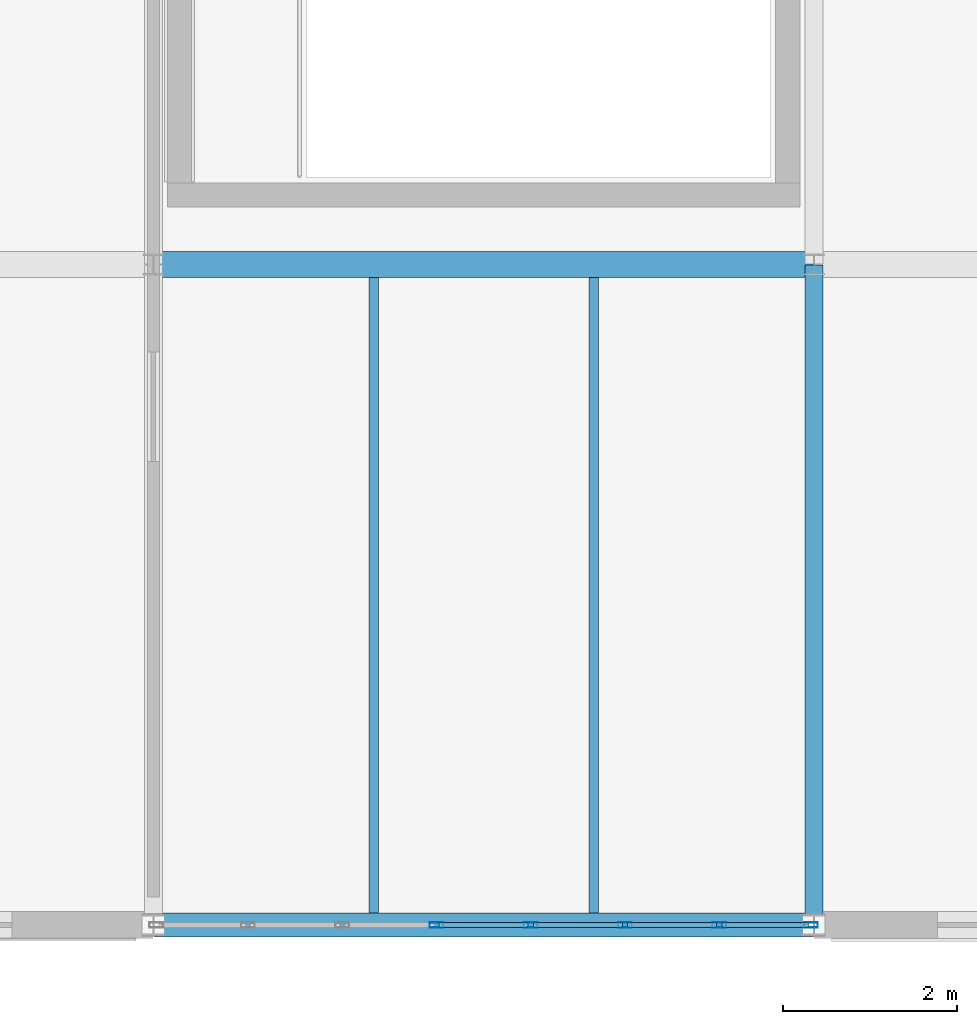
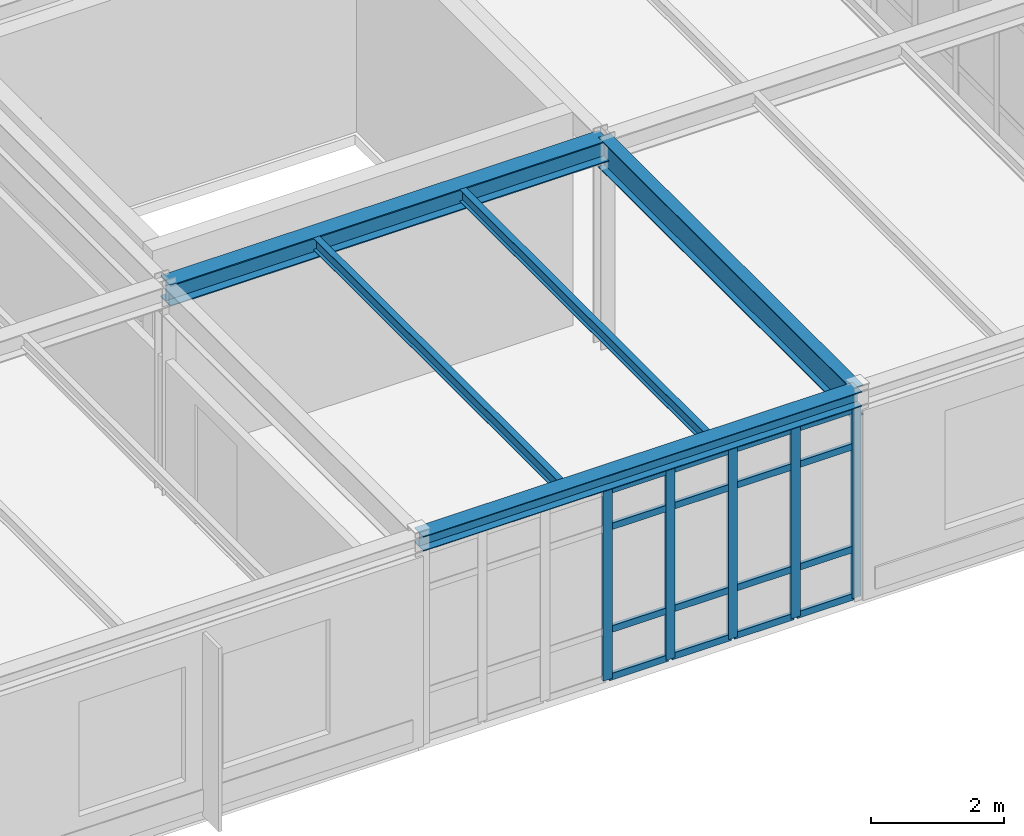
# One storey, part 29 of 189: 21 members, 5 beams, 1 element without a shape of its own.
"""IFC4 building model written with IfcOpenShell, lengths in metres."""

import ifcopenshell
import ifcopenshell.guid

model = None  # the IFC model being written
_history = None  # IfcOwnerHistory: only IFC2X3 demands one
_inside = {}  # id of a spatial element -> (the spatial element, [elements in it])
_under = {}  # id of a project, library or spatial element -> (it, [spatial elements below it])
_declared = {}  # id of a project -> (the project, [libraries it declares])
_typed = {}  # id of a type object -> (the type object, [elements of that type])
_made_of = {}  # id of a material, layer set ... -> (it, [elements and type objects made of it])


def new_model(schema):
    """Start an empty IFC model of exactly this schema.

    Asked for "IFC4X3", IfcOpenShell would pick the latest addendum, in which some entities
    have other attributes; the version numbers below select the first issue.
    IFC2X3 requires an IfcOwnerHistory on every rooted entity: one is made here for all.
    """
    global model, _history
    if schema == "IFC4X3":
        model = ifcopenshell.file(schema_version=(4, 3, 0, 0))
    else:
        model = ifcopenshell.file(schema=schema)
    _inside.clear()
    _under.clear()
    _declared.clear()
    _typed.clear()
    _made_of.clear()
    _history = None
    if model.schema == "IFC2X3":
        org = make("IfcOrganization", Name="unknown")
        user = make(
            "IfcPersonAndOrganization",
            ThePerson=make("IfcPerson", FamilyName="unknown"),
            TheOrganization=org,
        )
        app = make(
            "IfcApplication",
            ApplicationDeveloper=org,
            Version="unknown",
            ApplicationFullName="unknown",
            ApplicationIdentifier="unknown",
        )
        _history = make(
            "IfcOwnerHistory",
            OwningUser=user,
            OwningApplication=app,
            ChangeAction="ADDED",
            CreationDate=0,
        )
    return model


def make(cls, **values):
    """One entity of the class cls with the attributes given. An attribute that is None is left unset."""
    return model.create_entity(
        cls, **{name: value for name, value in values.items() if value is not None}
    )


def rooted(cls, **values):
    """An entity with a GlobalId (a new one), such as an element, a storey or a relation."""
    return make(cls, GlobalId=ifcopenshell.guid.new(), OwnerHistory=_history, **values)


def si_unit(unit_type, name, prefix=None):
    """IfcSIUnit, for example si_unit("LENGTHUNIT", "METRE", prefix="MILLI")."""
    return make("IfcSIUnit", UnitType=unit_type, Prefix=prefix, Name=name)


def assignment(units):
    """IfcUnitAssignment: the units of a project."""
    return None if units is None else make("IfcUnitAssignment", Units=units)


def point(xyz):
    """IfcCartesianPoint."""
    return None if xyz is None else make("IfcCartesianPoint", Coordinates=xyz)


def direction(xyz):
    """IfcDirection."""
    return None if xyz is None else make("IfcDirection", DirectionRatios=xyz)


def frame(location, z_axis=None, x_axis=None):
    """IfcAxis2Placement3D, a coordinate frame: its origin and axes. An axis left out is left unset."""
    return make(
        "IfcAxis2Placement3D",
        Location=point(location),
        Axis=direction(z_axis),
        RefDirection=direction(x_axis),
    )


def frame_2d(location, x_axis=None):
    """IfcAxis2Placement2D, a coordinate frame in the plane: its origin and x axis."""
    return make(
        "IfcAxis2Placement2D", Location=point(location), RefDirection=direction(x_axis)
    )


def origin():
    """The frame at (0, 0, 0) with its axes left unset."""
    return frame((0.0, 0.0, 0.0))


def origin_2d():
    """The frame at (0, 0) in the plane with its x axis left unset."""
    return frame_2d((0.0, 0.0))


def place(relative_to, where):
    """IfcLocalPlacement: puts the frame where relative to a parent placement (None: the world)."""
    return make(
        "IfcLocalPlacement", PlacementRelTo=relative_to, RelativePlacement=where
    )


def context(
    kind, dimensions, precision=None, world=None, true_north=None, identifier=None
):
    """IfcGeometricRepresentationContext, for example the 3D "Model" context."""
    return make(
        "IfcGeometricRepresentationContext",
        ContextIdentifier=identifier,
        ContextType=kind,
        CoordinateSpaceDimension=dimensions,
        Precision=precision,
        WorldCoordinateSystem=world,
        TrueNorth=true_north,
    )


def subcontext(parent, identifier, kind, view, scale=None):
    """IfcGeometricRepresentationSubContext, for example "Body" below "Model"."""
    return make(
        "IfcGeometricRepresentationSubContext",
        ContextIdentifier=identifier,
        ContextType=kind,
        ParentContext=parent,
        TargetScale=scale,
        TargetView=view,
    )


def project(units=None, contexts=None):
    """IfcProject with its units and contexts."""
    return rooted(
        "IfcProject",
        Name="project",
        RepresentationContexts=contexts,
        UnitsInContext=assignment(units),
    )


def spatial(cls, under=None, at=None, **own):
    """A site, building, storey or space (cls), placed at a placement, below another one or the project."""
    s = rooted(cls, ObjectPlacement=at, **own)
    if under is not None:
        _under.setdefault(under.id(), (under, []))[1].append(s)
    return s


def profile(cls, at=None, kind="AREA", **sizes):
    """A parametric profile (cls). Its sizes go by their IFC names, for example OverallWidth=200.0."""
    return make(cls, ProfileType=kind, Position=at, **sizes)


def hollow_rectangle(**sizes):
    """IfcRectangleHollowProfileDef."""
    return profile("IfcRectangleHollowProfileDef", **sizes)


def i_section(**sizes):
    """IfcIShapeProfileDef."""
    return profile("IfcIShapeProfileDef", **sizes)


def extrude(swept, where, along, depth):
    """IfcExtrudedAreaSolid: the profile swept, set in the frame where, extruded along a direction by depth."""
    return make(
        "IfcExtrudedAreaSolid",
        SweptArea=swept,
        Position=where,
        ExtrudedDirection=direction(along),
        Depth=depth,
    )


def shape(context_of_items, identifier, shape_type, items):
    """IfcShapeRepresentation: the items that make up one representation, for example the "Body"."""
    return make(
        "IfcShapeRepresentation",
        ContextOfItems=context_of_items,
        RepresentationIdentifier=identifier,
        RepresentationType=shape_type,
        Items=items,
    )


def material(Name=None, Category=None):
    """IfcMaterial."""
    return make("IfcMaterial", Name=Name, Category=Category)


def layer(
    of_material, thickness, ventilated=None, Name=None, Category=None, Priority=None
):
    """IfcMaterialLayer: one layer of a wall or slab, of a material (None: an air gap)."""
    return make(
        "IfcMaterialLayer",
        Material=of_material,
        LayerThickness=thickness,
        IsVentilated=ventilated,
        Name=Name,
        Category=Category,
        Priority=Priority,
    )


def layer_set(layers, Name=None):
    """IfcMaterialLayerSet."""
    return make("IfcMaterialLayerSet", MaterialLayers=layers, LayerSetName=Name)


def material_profile(
    of_material, cross_section, Name=None, Category=None, Priority=None
):
    """IfcMaterialProfile: a cross section and its material."""
    return make(
        "IfcMaterialProfile",
        Name=Name,
        Material=of_material,
        Profile=cross_section,
        Priority=Priority,
        Category=Category,
    )


def profile_set(profiles, Name=None, composite=None):
    """IfcMaterialProfileSet."""
    return make(
        "IfcMaterialProfileSet",
        Name=Name,
        MaterialProfiles=profiles,
        CompositeProfile=composite,
    )


def made_of(thing, what):
    """Note that an element or type object is made of a material, layer set ...; save() writes the relation."""
    if what is not None:
        _made_of.setdefault(what.id(), (what, []))[1].append(thing)
    return thing


def type_object(cls, material=None, **own):
    """A type object (cls), such as IfcWallType, which elements share."""
    return made_of(rooted(cls, **own), material)


def element(
    cls,
    number,
    at=None,
    inside=None,
    cuts=None,
    type_object=None,
    material=None,
    context=None,
    identifier="Body",
    shape_type=None,
    held_by="IfcProductDefinitionShape",
    body=None,
    shapes=None,
    **own,
):
    """One element of the class cls, such as IfcWall. Its Tag is "e" and its number.

    at: its placement. inside: the storey or other place that contains it. cuts: it is an
    opening in that element (IfcRelVoidsElement). A single representation is given by context,
    identifier, shape_type and body (its items); several are given by shapes. held_by: the class
    of the entity that holds the representations. save() writes the other relations.
    """
    e = rooted(cls, Tag="e%d" % number, ObjectPlacement=at, **own)
    if body is not None:
        shapes = [shape(context, identifier, shape_type, body)]
    if shapes is not None:
        e.Representation = make(held_by, Representations=shapes)
    if inside is not None:
        _inside.setdefault(inside.id(), (inside, []))[1].append(e)
    if cuts is not None:
        rooted(
            "IfcRelVoidsElement", RelatingBuildingElement=cuts, RelatedOpeningElement=e
        )
    if type_object is not None:
        _typed.setdefault(type_object.id(), (type_object, []))[1].append(e)
    return made_of(e, material)


def aggregate(whole, parts):
    """IfcRelAggregates: a whole, such as a stair, and the parts it consists of."""
    return rooted("IfcRelAggregates", RelatingObject=whole, RelatedObjects=parts)


def save(model, path):
    """Write the relations noted so far, then the file.

    IfcRelAggregates (storeys below a building ...), IfcRelContainedInSpatialStructure (elements
    in a storey), IfcRelDefinesByType, IfcRelAssociatesMaterial and IfcRelDeclares: one each for
    every whole, place, type object, material and project.
    """
    for whole, parts in _under.values():
        aggregate(whole, parts)
    for where, things in _inside.values():
        rooted(
            "IfcRelContainedInSpatialStructure",
            RelatedElements=things,
            RelatingStructure=where,
        )
    for kind, things in _typed.values():
        rooted("IfcRelDefinesByType", RelatedObjects=things, RelatingType=kind)
    for what, things in _made_of.values():
        rooted("IfcRelAssociatesMaterial", RelatedObjects=things, RelatingMaterial=what)
    for by, libraries in _declared.values():
        rooted("IfcRelDeclares", RelatingContext=by, RelatedDefinitions=libraries)
    model.write(path)


model = new_model("IFC4")

# Units and contexts
model_context = context("Model", 3, precision=1e-05, world=origin(), true_north=direction((0.0, 1.0)))
body_context = subcontext(model_context, "Body", "Model", "MODEL_VIEW")
ifc_project = project(units=[si_unit("LENGTHUNIT", "METRE"), si_unit("AREAUNIT", "SQUARE_METRE"), si_unit("VOLUMEUNIT", "CUBIC_METRE"), si_unit("PLANEANGLEUNIT", "RADIAN"), si_unit("MASSUNIT", "GRAM", prefix="KILO")], contexts=[model_context])

# Site, building, storey
site_placement = place(None, origin())
site = spatial("IfcSite", under=ifc_project, at=site_placement, CompositionType="ELEMENT")
building_placement = place(site_placement, origin())
building = spatial("IfcBuilding", under=site, at=building_placement, Name="Montecoro Central Library", CompositionType="ELEMENT")
storey_placement = place(building_placement, frame((0.0, 0.0, 9.179931640625)))
storey = spatial("IfcBuildingStorey", under=building, at=storey_placement, Name="L02", CompositionType="ELEMENT", Elevation=9.179931640625)

# Beams
ifc_material_1 = material(Name="Steel S355", Category="steel")
ifc_material_profile_1 = material_profile(ifc_material_1, i_section(OverallWidth=0.300048828125, OverallDepth=0.389892578125, WebThickness=0.010986328125, FlangeThickness=0.01904296875, at=origin_2d()), Name="HEA 400")
ifc_profile_set_1 = profile_set([ifc_material_profile_1], Name="Steel S355")
beam_type_1 = type_object("IfcBeamType", Name="BM-G-HEA400", PredefinedType="USERDEFINED", material=ifc_profile_set_1)
beam_1_placement = place(storey_placement, frame((27.804931640625, 12.60009765625, 3.630126953125), z_axis=(1.0, 0.0, 0.0), x_axis=(0.0, 1.0, 0.0)))
element("IfcBeam", 1, at=beam_1_placement, inside=storey, type_object=beam_type_1, Name="V3-L02-BX-45-B", ObjectType="GIRDER", PredefinedType="USERDEFINED", context=body_context, shape_type="SweptSolid", body=[
    extrude(i_section(OverallWidth=0.300048828125, OverallDepth=0.389892578125, WebThickness=0.010986328125, FlangeThickness=0.01904296875, at=origin_2d()), origin(), (0.0, 0.0, 1.0), 7.590087890625),
])
ifc_material_2 = material(Name="Steel S355J2", Category="steel")
ifc_material_profile_2 = material_profile(ifc_material_2, i_section(OverallWidth=0.2099609375, OverallDepth=0.550048828125, WebThickness=0.010986328125, FlangeThickness=0.01708984375, at=origin_2d()), Name="IPE 550")
ifc_profile_set_2 = profile_set([ifc_material_profile_2], Name="Steel S355J2")
beam_type_2 = type_object("IfcBeamType", Name="BM-G-IPE550", PredefinedType="USERDEFINED", material=ifc_profile_set_2)
beam_2_placement = place(storey_placement, frame((35.39990234375, 5.0048828125, 3.550048828125), z_axis=(0.0, 1.0, 0.0), x_axis=(-1.0, 0.0, 0.0)))
element("IfcBeam", 2, at=beam_2_placement, inside=storey, type_object=beam_type_2, Name="V3-L02-BY-5-AB", ObjectType="GIRDER", PredefinedType="USERDEFINED", context=body_context, shape_type="SweptSolid", body=[
    extrude(i_section(OverallWidth=0.2099609375, OverallDepth=0.550048828125, WebThickness=0.010986328125, FlangeThickness=0.01708984375, at=origin_2d()), origin(), (0.0, 0.0, 1.0), 7.590087890625),
])
ifc_material_profile_3 = material_profile(ifc_material_1, i_section(OverallWidth=0.110107421875, OverallDepth=0.219970703125, WebThickness=0.005859375, FlangeThickness=0.00927734375, at=origin_2d()), Name="IPE 220")
ifc_profile_set_3 = profile_set([ifc_material_profile_3], Name="Steel S355")
beam_type_3 = type_object("IfcBeamType", Name="BM-J-IPE220", PredefinedType="JOIST", material=ifc_profile_set_3)
for number, where, z_axis, x_axis, name in (
    (3, (30.3330078125, 5.136962890625, 3.715087890625), (0.0, 1.0, 0.0), (-1.0, 0.0, 0.0), "V3-L02-JS-45-AB-1"),
    (4, (32.866943359375, 5.136962890625, 3.715087890625), (0.0, 1.0, 0.0), (-1.0, 0.0, 0.0), "V3-L02-JS-45-AB-2"),
):
    element("IfcBeam", number, at=place(storey_placement, frame(where, z_axis=z_axis, x_axis=x_axis)), inside=storey, type_object=beam_type_3, Name=name, PredefinedType="JOIST", context=body_context, shape_type="SweptSolid", body=[
        extrude(i_section(OverallWidth=0.110107421875, OverallDepth=0.219970703125, WebThickness=0.005859375, FlangeThickness=0.00927734375, at=origin_2d()), origin(), (0.0, 0.0, 1.0), 7.31591796875),
    ])
ifc_material_profile_4 = material_profile(ifc_material_1, i_section(OverallWidth=0.280029296875, OverallDepth=0.27001953125, WebThickness=0.008056640625, FlangeThickness=0.012939453125, at=origin_2d()), Name="HEA 280")
ifc_profile_set_4 = profile_set([ifc_material_profile_4], Name="Steel S355")
beam_type_4 = type_object("IfcBeamType", Name="BM-SP-HEA280", PredefinedType="SPANDREL", material=ifc_profile_set_4)
beam_3_placement = place(storey_placement, frame((27.804931640625, 5.0, 3.690185546875), z_axis=(1.0, 0.0, 0.0), x_axis=(0.0, 1.0, 0.0)))
element("IfcBeam", 5, at=beam_3_placement, inside=storey, type_object=beam_type_4, Name="V3-L02-BX-45-A", PredefinedType="SPANDREL", context=body_context, shape_type="SweptSolid", body=[
    extrude(i_section(OverallWidth=0.280029296875, OverallDepth=0.27001953125, WebThickness=0.008056640625, FlangeThickness=0.012939453125, at=origin_2d()), origin(), (0.0, 0.0, 1.0), 7.590087890625),
])

# Curtain wall, members
ifc_material_3 = material(Name="Bronze-anodised aluminium and low-E glazing", Category="aluminium")
ifc_layer = layer(ifc_material_3, 0.159912109375)
ifc_layer_set = layer_set([ifc_layer], Name="Bronze-anodised aluminium and low-E glazing")
curtain_wall_type = type_object("IfcCurtainWallType", Name="CWT-033", PredefinedType="NOTDEFINED", material=ifc_layer_set)
curtain_wall_placement = place(storey_placement, origin())
curtain_wall = element("IfcCurtainWall", 6, at=curtain_wall_placement, inside=storey, type_object=curtain_wall_type, Name="V3-L02-CW-S3", PredefinedType="NOTDEFINED")
ifc_material_4 = material(Name="Bronze-anodised aluminium", Category="aluminium")
ifc_material_profile_5 = material_profile(ifc_material_4, hollow_rectangle(XDim=0.06005859375, YDim=0.159912109375, WallThickness=0.00390625, at=origin_2d()), Name="CWM 160x60x4.0")
ifc_profile_set_5 = profile_set([ifc_material_profile_5], Name="Bronze-anodised aluminium")
member_type_1 = type_object("IfcMemberType", Name="CWM-BRZ-60", PredefinedType="MULLION", material=ifc_profile_set_5)
member_1_placement = place(storey_placement, frame((31.0576171875, 5.0, 0.0), z_axis=(0.0, 0.0, 1.0), x_axis=(0.0, 1.0, 0.0)))
member_1 = element("IfcMember", 7, at=member_1_placement, type_object=member_type_1, Name="CW-033 mullion 4", PredefinedType="MULLION", context=body_context, shape_type="SweptSolid", body=[
    extrude(hollow_rectangle(XDim=0.06005859375, YDim=0.159912109375, WallThickness=0.00390625, at=origin_2d()), origin(), (0.0, 0.0, 1.0), 3.47998046875),
])
member_2_placement = place(storey_placement, frame((32.142333984375, 5.0, 0.0), z_axis=(0.0, 0.0, 1.0), x_axis=(0.0, 1.0, 0.0)))
member_2 = element("IfcMember", 8, at=member_2_placement, type_object=member_type_1, Name="CW-033 mullion 5", PredefinedType="MULLION", context=body_context, shape_type="SweptSolid", body=[
    extrude(hollow_rectangle(XDim=0.06005859375, YDim=0.159912109375, WallThickness=0.00390625, at=origin_2d()), origin(), (0.0, 0.0, 1.0), 3.47998046875),
])
member_3_placement = place(storey_placement, frame((33.226806640625, 5.0, 0.0), z_axis=(0.0, 0.0, 1.0), x_axis=(0.0, 1.0, 0.0)))
member_3 = element("IfcMember", 9, at=member_3_placement, type_object=member_type_1, Name="CW-033 mullion 6", PredefinedType="MULLION", context=body_context, shape_type="SweptSolid", body=[
    extrude(hollow_rectangle(XDim=0.06005859375, YDim=0.159912109375, WallThickness=0.00390625, at=origin_2d()), origin(), (0.0, 0.0, 1.0), 3.47998046875),
])
member_4_placement = place(storey_placement, frame((34.3115234375, 5.0, 0.0), z_axis=(0.0, 0.0, 1.0), x_axis=(0.0, 1.0, 0.0)))
member_4 = element("IfcMember", 10, at=member_4_placement, type_object=member_type_1, Name="CW-033 mullion 7", PredefinedType="MULLION", context=body_context, shape_type="SweptSolid", body=[
    extrude(hollow_rectangle(XDim=0.06005859375, YDim=0.159912109375, WallThickness=0.00390625, at=origin_2d()), origin(), (0.0, 0.0, 1.0), 3.47998046875),
])
member_5_placement = place(storey_placement, frame((35.365966796875, 5.0, 0.0), z_axis=(0.0, 0.0, 1.0), x_axis=(0.0, 1.0, 0.0)))
member_5 = element("IfcMember", 11, at=member_5_placement, type_object=member_type_1, Name="CW-033 mullion 8", PredefinedType="MULLION", context=body_context, shape_type="SweptSolid", body=[
    extrude(hollow_rectangle(XDim=0.06005859375, YDim=0.159912109375, WallThickness=0.00390625, at=origin_2d()), origin(), (0.0, 0.0, 1.0), 3.47998046875),
])
ifc_material_profile_6 = material_profile(ifc_material_4, hollow_rectangle(XDim=0.06005859375, YDim=0.1201171875, WallThickness=0.00390625, at=origin_2d()), Name="CWT 120x60x4.0")
ifc_profile_set_6 = profile_set([ifc_material_profile_6], Name="Bronze-anodised aluminium")
member_type_2 = type_object("IfcMemberType", Name="CWT-BRZ-60", PredefinedType="USERDEFINED", material=ifc_profile_set_6)
member_6_placement = place(storey_placement, frame((31.087646484375, 5.0, 0.030029296875), z_axis=(1.0, 0.0, 0.0), x_axis=(0.0, 1.0, 0.0)))
member_6 = element("IfcMember", 12, at=member_6_placement, type_object=member_type_2, Name="CW-033 transom 4.1", ObjectType="TRANSOM", PredefinedType="USERDEFINED", context=body_context, shape_type="SweptSolid", body=[
    extrude(hollow_rectangle(XDim=0.06005859375, YDim=0.1201171875, WallThickness=0.00390625, at=origin_2d()), origin(), (0.0, 0.0, 1.0), 1.024658203125),
])
member_7_placement = place(storey_placement, frame((31.087646484375, 5.0, 0.900146484375), z_axis=(1.0, 0.0, 0.0), x_axis=(0.0, 1.0, 0.0)))
member_7 = element("IfcMember", 13, at=member_7_placement, type_object=member_type_2, Name="CW-033 transom 4.2", ObjectType="TRANSOM", PredefinedType="USERDEFINED", context=body_context, shape_type="SweptSolid", body=[
    extrude(hollow_rectangle(XDim=0.06005859375, YDim=0.1201171875, WallThickness=0.00390625, at=origin_2d()), origin(), (0.0, 0.0, 1.0), 1.024658203125),
])
member_8_placement = place(storey_placement, frame((31.087646484375, 5.0, 2.780029296875), z_axis=(1.0, 0.0, 0.0), x_axis=(0.0, 1.0, 0.0)))
member_8 = element("IfcMember", 14, at=member_8_placement, type_object=member_type_2, Name="CW-033 transom 4.3", ObjectType="TRANSOM", PredefinedType="USERDEFINED", context=body_context, shape_type="SweptSolid", body=[
    extrude(hollow_rectangle(XDim=0.06005859375, YDim=0.1201171875, WallThickness=0.00390625, at=origin_2d()), origin(), (0.0, 0.0, 1.0), 1.024658203125),
])
member_9_placement = place(storey_placement, frame((31.087646484375, 5.0, 3.449951171875), z_axis=(1.0, 0.0, 0.0), x_axis=(0.0, 1.0, 0.0)))
member_9 = element("IfcMember", 15, at=member_9_placement, type_object=member_type_2, Name="CW-033 transom 4.4", ObjectType="TRANSOM", PredefinedType="USERDEFINED", context=body_context, shape_type="SweptSolid", body=[
    extrude(hollow_rectangle(XDim=0.06005859375, YDim=0.1201171875, WallThickness=0.00390625, at=origin_2d()), origin(), (0.0, 0.0, 1.0), 1.024658203125),
])
member_10_placement = place(storey_placement, frame((32.17236328125, 5.0, 0.030029296875), z_axis=(1.0, 0.0, 0.0), x_axis=(0.0, 1.0, 0.0)))
member_10 = element("IfcMember", 16, at=member_10_placement, type_object=member_type_2, Name="CW-033 transom 5.1", ObjectType="TRANSOM", PredefinedType="USERDEFINED", context=body_context, shape_type="SweptSolid", body=[
    extrude(hollow_rectangle(XDim=0.06005859375, YDim=0.1201171875, WallThickness=0.00390625, at=origin_2d()), origin(), (0.0, 0.0, 1.0), 1.0244140625),
])
member_11_placement = place(storey_placement, frame((32.17236328125, 5.0, 0.900146484375), z_axis=(1.0, 0.0, 0.0), x_axis=(0.0, 1.0, 0.0)))
member_11 = element("IfcMember", 17, at=member_11_placement, type_object=member_type_2, Name="CW-033 transom 5.2", ObjectType="TRANSOM", PredefinedType="USERDEFINED", context=body_context, shape_type="SweptSolid", body=[
    extrude(hollow_rectangle(XDim=0.06005859375, YDim=0.1201171875, WallThickness=0.00390625, at=origin_2d()), origin(), (0.0, 0.0, 1.0), 1.0244140625),
])
member_12_placement = place(storey_placement, frame((32.17236328125, 5.0, 2.780029296875), z_axis=(1.0, 0.0, 0.0), x_axis=(0.0, 1.0, 0.0)))
member_12 = element("IfcMember", 18, at=member_12_placement, type_object=member_type_2, Name="CW-033 transom 5.3", ObjectType="TRANSOM", PredefinedType="USERDEFINED", context=body_context, shape_type="SweptSolid", body=[
    extrude(hollow_rectangle(XDim=0.06005859375, YDim=0.1201171875, WallThickness=0.00390625, at=origin_2d()), origin(), (0.0, 0.0, 1.0), 1.0244140625),
])
member_13_placement = place(storey_placement, frame((32.17236328125, 5.0, 3.449951171875), z_axis=(1.0, 0.0, 0.0), x_axis=(0.0, 1.0, 0.0)))
member_13 = element("IfcMember", 19, at=member_13_placement, type_object=member_type_2, Name="CW-033 transom 5.4", ObjectType="TRANSOM", PredefinedType="USERDEFINED", context=body_context, shape_type="SweptSolid", body=[
    extrude(hollow_rectangle(XDim=0.06005859375, YDim=0.1201171875, WallThickness=0.00390625, at=origin_2d()), origin(), (0.0, 0.0, 1.0), 1.0244140625),
])
member_14_placement = place(storey_placement, frame((33.2568359375, 5.0, 0.030029296875), z_axis=(1.0, 0.0, 0.0), x_axis=(0.0, 1.0, 0.0)))
member_14 = element("IfcMember", 20, at=member_14_placement, type_object=member_type_2, Name="CW-033 transom 6.1", ObjectType="TRANSOM", PredefinedType="USERDEFINED", context=body_context, shape_type="SweptSolid", body=[
    extrude(hollow_rectangle(XDim=0.06005859375, YDim=0.1201171875, WallThickness=0.00390625, at=origin_2d()), origin(), (0.0, 0.0, 1.0), 1.024658203125),
])
member_15_placement = place(storey_placement, frame((33.2568359375, 5.0, 0.900146484375), z_axis=(1.0, 0.0, 0.0), x_axis=(0.0, 1.0, 0.0)))
member_15 = element("IfcMember", 21, at=member_15_placement, type_object=member_type_2, Name="CW-033 transom 6.2", ObjectType="TRANSOM", PredefinedType="USERDEFINED", context=body_context, shape_type="SweptSolid", body=[
    extrude(hollow_rectangle(XDim=0.06005859375, YDim=0.1201171875, WallThickness=0.00390625, at=origin_2d()), origin(), (0.0, 0.0, 1.0), 1.024658203125),
])
member_16_placement = place(storey_placement, frame((33.2568359375, 5.0, 2.780029296875), z_axis=(1.0, 0.0, 0.0), x_axis=(0.0, 1.0, 0.0)))
member_16 = element("IfcMember", 22, at=member_16_placement, type_object=member_type_2, Name="CW-033 transom 6.3", ObjectType="TRANSOM", PredefinedType="USERDEFINED", context=body_context, shape_type="SweptSolid", body=[
    extrude(hollow_rectangle(XDim=0.06005859375, YDim=0.1201171875, WallThickness=0.00390625, at=origin_2d()), origin(), (0.0, 0.0, 1.0), 1.024658203125),
])
member_17_placement = place(storey_placement, frame((33.2568359375, 5.0, 3.449951171875), z_axis=(1.0, 0.0, 0.0), x_axis=(0.0, 1.0, 0.0)))
member_17 = element("IfcMember", 23, at=member_17_placement, type_object=member_type_2, Name="CW-033 transom 6.4", ObjectType="TRANSOM", PredefinedType="USERDEFINED", context=body_context, shape_type="SweptSolid", body=[
    extrude(hollow_rectangle(XDim=0.06005859375, YDim=0.1201171875, WallThickness=0.00390625, at=origin_2d()), origin(), (0.0, 0.0, 1.0), 1.024658203125),
])
member_18_placement = place(storey_placement, frame((34.34130859375, 5.0, 0.030029296875), z_axis=(1.0, 0.0, 0.0), x_axis=(0.0, 1.0, 0.0)))
member_18 = element("IfcMember", 24, at=member_18_placement, type_object=member_type_2, Name="CW-033 transom 7.1", ObjectType="TRANSOM", PredefinedType="USERDEFINED", context=body_context, shape_type="SweptSolid", body=[
    extrude(hollow_rectangle(XDim=0.06005859375, YDim=0.1201171875, WallThickness=0.00390625, at=origin_2d()), origin(), (0.0, 0.0, 1.0), 0.99462890625),
])
member_19_placement = place(storey_placement, frame((34.34130859375, 5.0, 0.900146484375), z_axis=(1.0, 0.0, 0.0), x_axis=(0.0, 1.0, 0.0)))
member_19 = element("IfcMember", 25, at=member_19_placement, type_object=member_type_2, Name="CW-033 transom 7.2", ObjectType="TRANSOM", PredefinedType="USERDEFINED", context=body_context, shape_type="SweptSolid", body=[
    extrude(hollow_rectangle(XDim=0.06005859375, YDim=0.1201171875, WallThickness=0.00390625, at=origin_2d()), origin(), (0.0, 0.0, 1.0), 0.99462890625),
])
member_20_placement = place(storey_placement, frame((34.34130859375, 5.0, 2.780029296875), z_axis=(1.0, 0.0, 0.0), x_axis=(0.0, 1.0, 0.0)))
member_20 = element("IfcMember", 26, at=member_20_placement, type_object=member_type_2, Name="CW-033 transom 7.3", ObjectType="TRANSOM", PredefinedType="USERDEFINED", context=body_context, shape_type="SweptSolid", body=[
    extrude(hollow_rectangle(XDim=0.06005859375, YDim=0.1201171875, WallThickness=0.00390625, at=origin_2d()), origin(), (0.0, 0.0, 1.0), 0.99462890625),
])
member_21_placement = place(storey_placement, frame((34.34130859375, 5.0, 3.449951171875), z_axis=(1.0, 0.0, 0.0), x_axis=(0.0, 1.0, 0.0)))
member_21 = element("IfcMember", 27, at=member_21_placement, type_object=member_type_2, Name="CW-033 transom 7.4", ObjectType="TRANSOM", PredefinedType="USERDEFINED", context=body_context, shape_type="SweptSolid", body=[
    extrude(hollow_rectangle(XDim=0.06005859375, YDim=0.1201171875, WallThickness=0.00390625, at=origin_2d()), origin(), (0.0, 0.0, 1.0), 0.99462890625),
])
aggregate(curtain_wall, [member_1, member_2, member_3, member_4, member_5, member_6, member_7, member_8, member_9, member_10, member_11, member_12, member_13, member_14, member_15, member_16, member_17, member_18, member_19, member_20, member_21])

save(model, "model.ifc")
